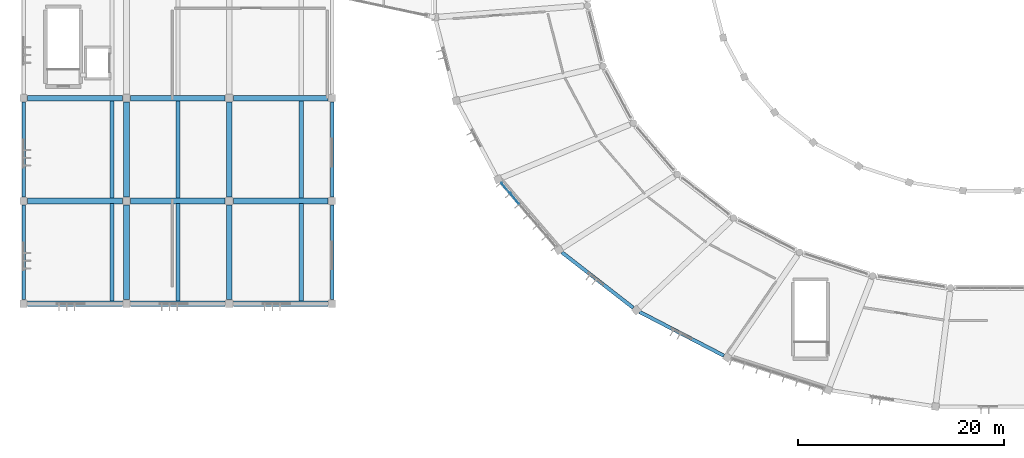
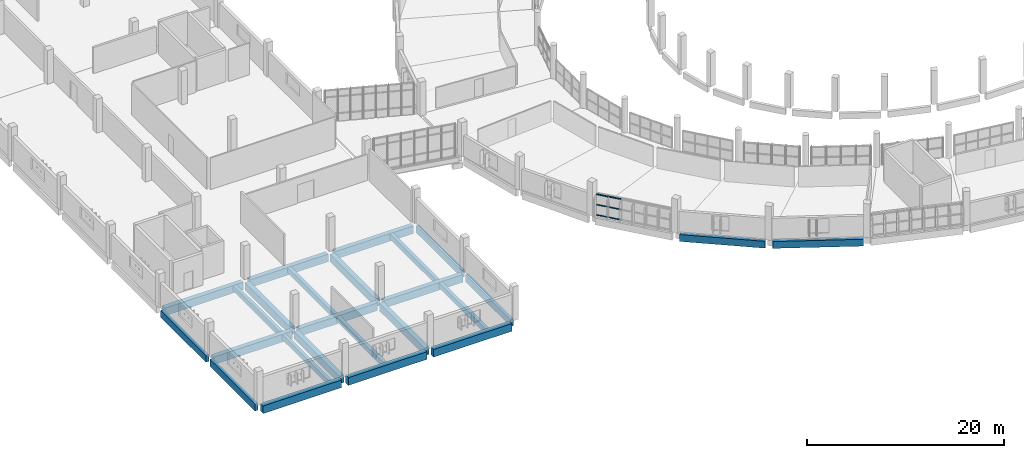
# One storey, part 3 of 142: 25 beams, 6 members, 1 element without a shape of its own.
"""IFC4 building model written with IfcOpenShell, lengths in metres."""

from ifc_helpers import new_model, si_unit, direction, frame, origin, origin_2d, place, context, subcontext, project, spatial, rectangle, extrude, material, layer, layer_set, material_profile, profile_set, type_object, element, aggregate, save


model = new_model("IFC4")

# Units and contexts
model_context = context("Model", 3, precision=1e-05, world=origin(), true_north=direction((0.0, 1.0)))
body_context = subcontext(model_context, "Body", "Model", "MODEL_VIEW")
ifc_project = project(units=[si_unit("LENGTHUNIT", "METRE"), si_unit("AREAUNIT", "SQUARE_METRE"), si_unit("VOLUMEUNIT", "CUBIC_METRE"), si_unit("PLANEANGLEUNIT", "RADIAN"), si_unit("MASSUNIT", "GRAM", prefix="KILO")], contexts=[model_context])

# Site, building, storey
site_placement = place(None, origin())
site = spatial("IfcSite", under=ifc_project, at=site_placement, CompositionType="ELEMENT")
building_placement = place(site_placement, origin())
building = spatial("IfcBuilding", under=site, at=building_placement, Name="Corvandel Quay Wholesale Market", CompositionType="ELEMENT")
storey_placement = place(building_placement, frame((0.0, 0.0, 10.800048828125)))
storey = spatial("IfcBuildingStorey", under=building, at=storey_placement, Name="L02", CompositionType="ELEMENT", Elevation=10.800048828125)

# Beams
ifc_material_1 = material(Name="Precast concrete C45/55", Category="concrete")
ifc_material_profile_1 = material_profile(ifc_material_1, rectangle(XDim=0.550048828125, YDim=0.949951171875, at=origin_2d()), Name="PC-GIR-550x950")
ifc_profile_set_1 = profile_set([ifc_material_profile_1], Name="Precast concrete C45/55")
beam_type_1 = type_object("IfcBeamType", Name="Cold Store Floor Girder G02 550x950", PredefinedType="USERDEFINED", material=ifc_profile_set_1)
for number, where, z_axis, x_axis, name in (
    (1, (20.39501953125, 10.0, -0.795166015625), (1.0, 0.0, 0.0), (0.0, 1.0, 0.0), "Beam BM-1149"),
    (2, (30.39501953125, 10.0, -0.795166015625), (1.0, 0.0, 0.0), (0.0, 1.0, 0.0), "Beam BM-1150"),
    (3, (40.39501953125, 10.0, -0.795166015625), (1.0, 0.0, 0.0), (0.0, 1.0, 0.0), "Beam BM-1151"),
    (4, (20.39501953125, 20.0, -0.795166015625), (1.0, 0.0, 0.0), (0.0, 1.0, 0.0), "Beam BM-1152"),
    (5, (30.39501953125, 20.0, -0.795166015625), (1.0, 0.0, 0.0), (0.0, 1.0, 0.0), "Beam BM-1153"),
    (6, (40.39501953125, 20.0, -0.795166015625), (1.0, 0.0, 0.0), (0.0, 1.0, 0.0), "Beam BM-1154"),
    (7, (20.39501953125, 30.0, -0.795166015625), (1.0, 0.0, 0.0), (0.0, 1.0, 0.0), "Beam BM-1155"),
    (8, (30.39501953125, 30.0, -0.795166015625), (1.0, 0.0, 0.0), (0.0, 1.0, 0.0), "Beam BM-1156"),
    (9, (40.39501953125, 30.0, -0.795166015625), (1.0, 0.0, 0.0), (0.0, 1.0, 0.0), "Beam BM-1157"),
    (10, (30.0, 10.39501953125, -0.795166015625), (0.0, 1.0, 0.0), (-1.0, 0.0, 0.0), "Beam BM-1204"),
    (11, (30.0, 20.39501953125, -0.795166015625), (0.0, 1.0, 0.0), (-1.0, 0.0, 0.0), "Beam BM-1205"),
    (12, (40.0, 10.39501953125, -0.795166015625), (0.0, 1.0, 0.0), (-1.0, 0.0, 0.0), "Beam BM-1217"),
    (13, (40.0, 20.39501953125, -0.795166015625), (0.0, 1.0, 0.0), (-1.0, 0.0, 0.0), "Beam BM-1218"),
):
    element("IfcBeam", number, at=place(storey_placement, frame(where, z_axis=z_axis, x_axis=x_axis)), inside=storey, type_object=beam_type_1, Name=name, ObjectType="GIRDER", PredefinedType="USERDEFINED", context=body_context, shape_type="SweptSolid", body=[
        extrude(rectangle(XDim=0.550048828125, YDim=0.949951171875, at=origin_2d()), origin(), (0.0, 0.0, 1.0), 9.2099609375),
    ])
ifc_material_profile_2 = material_profile(ifc_material_1, rectangle(XDim=0.39990234375, YDim=0.64990234375, at=origin_2d()), Name="PC-BM-400x650")
ifc_profile_set_2 = profile_set([ifc_material_profile_2], Name="Precast concrete C45/55")
beam_type_2 = type_object("IfcBeamType", Name="Cold Store Secondary Beam B01 400x650", PredefinedType="BEAM", material=ifc_profile_set_2)
for number, where, z_axis, x_axis, name in (
    (14, (28.60009765625, 10.264892578125, -0.64501953125), (0.0, 1.0, 0.0), (-1.0, 0.0, 0.0), "Beam BM-1243"),
    (15, (28.60009765625, 20.264892578125, -0.64501953125), (0.0, 1.0, 0.0), (-1.0, 0.0, 0.0), "Beam BM-1244"),
    (16, (35.0, 10.264892578125, -0.64501953125), (0.0, 1.0, 0.0), (-1.0, 0.0, 0.0), "Beam BM-1256"),
    (17, (35.0, 20.264892578125, -0.64501953125), (0.0, 1.0, 0.0), (-1.0, 0.0, 0.0), "Beam BM-1257"),
    (18, (47.0, 10.264892578125, -0.64501953125), (0.0, 1.0, 0.0), (-1.0, 0.0, 0.0), "Beam BM-1269"),
    (19, (47.0, 20.264892578125, -0.64501953125), (0.0, 1.0, 0.0), (-1.0, 0.0, 0.0), "Beam BM-1270"),
):
    element("IfcBeam", number, at=place(storey_placement, frame(where, z_axis=z_axis, x_axis=x_axis)), inside=storey, type_object=beam_type_2, Name=name, PredefinedType="BEAM", context=body_context, shape_type="SweptSolid", body=[
        extrude(rectangle(XDim=0.39990234375, YDim=0.64990234375, at=origin_2d()), origin(), (0.0, 0.0, 1.0), 9.47021484375),
    ])

# Curtain wall, members
ifc_material_2 = material(Name="Bronze anodised aluminium and low-E insulated glazing", Category="aluminium")
ifc_layer = layer(ifc_material_2, 0.174072265625)
ifc_layer_set = layer_set([ifc_layer], Name="Bronze anodised aluminium and low-E insulated glazing")
curtain_wall_type = type_object("IfcCurtainWallType", Name="Stick Curtain Wall System CW27 H5430", PredefinedType="NOTDEFINED", material=ifc_layer_set)
curtain_wall_placement = place(storey_placement, origin())
curtain_wall = element("IfcCurtainWall", 20, at=curtain_wall_placement, inside=storey, type_object=curtain_wall_type, Name="Curtain Wall CW-0054", PredefinedType="NOTDEFINED")
ifc_material_3 = material(Name="Anodised aluminium 6063-T6", Category="aluminium")
ifc_material_profile_3 = material_profile(ifc_material_3, rectangle(XDim=0.06005859375, YDim=0.110107421875, at=origin_2d()), Name="ALU-TRN-60x110")
ifc_profile_set_3 = profile_set([ifc_material_profile_3], Name="Anodised aluminium 6063-T6")
member_type = type_object("IfcMemberType", Name="Curtain Wall Transom TR02 60x110", PredefinedType="USERDEFINED", material=ifc_profile_set_3)
member_1_placement = place(storey_placement, frame((66.46044921875, 21.739990234375, 0.0), z_axis=(0.651597471756, -0.758564917987, 0.0), x_axis=(0.758564917987, 0.651597471756, 0.0)))
member_1 = element("IfcMember", 21, at=member_1_placement, type_object=member_type, Name="Transom CW-0054-T00-0", ObjectType="TRANSOM", PredefinedType="USERDEFINED", context=body_context, shape_type="SweptSolid", body=[
    extrude(rectangle(XDim=0.06005859375, YDim=0.110107421875, at=origin_2d()), origin(), (0.0, 0.0, 1.0), 1.29638671875),
])
member_2_placement = place(storey_placement, frame((66.46044921875, 21.739990234375, 1.27490234375), z_axis=(0.651597471756, -0.758564917987, 0.0), x_axis=(0.758564917987, 0.651597471756, 0.0)))
member_2 = element("IfcMember", 22, at=member_2_placement, type_object=member_type, Name="Transom CW-0054-T00-1", ObjectType="TRANSOM", PredefinedType="USERDEFINED", context=body_context, shape_type="SweptSolid", body=[
    extrude(rectangle(XDim=0.06005859375, YDim=0.110107421875, at=origin_2d()), origin(), (0.0, 0.0, 1.0), 1.29638671875),
])
member_3_placement = place(storey_placement, frame((66.46044921875, 21.739990234375, 2.550048828125), z_axis=(0.651597471756, -0.758564917987, 0.0), x_axis=(0.758564917987, 0.651597471756, 0.0)))
member_3 = element("IfcMember", 23, at=member_3_placement, type_object=member_type, Name="Transom CW-0054-T00-2", ObjectType="TRANSOM", PredefinedType="USERDEFINED", context=body_context, shape_type="SweptSolid", body=[
    extrude(rectangle(XDim=0.06005859375, YDim=0.110107421875, at=origin_2d()), origin(), (0.0, 0.0, 1.0), 1.29638671875),
])
member_4_placement = place(storey_placement, frame((67.347412109375, 20.707275390625, 0.0), z_axis=(0.651597471756, -0.758564917987, 0.0), x_axis=(0.758564917987, 0.651597471756, 0.0)))
member_4 = element("IfcMember", 24, at=member_4_placement, type_object=member_type, Name="Transom CW-0054-T01-0", ObjectType="TRANSOM", PredefinedType="USERDEFINED", context=body_context, shape_type="SweptSolid", body=[
    extrude(rectangle(XDim=0.06005859375, YDim=0.110107421875, at=origin_2d()), origin(), (0.0, 0.0, 1.0), 1.29638671875),
])
member_5_placement = place(storey_placement, frame((67.347412109375, 20.707275390625, 1.27490234375), z_axis=(0.651597471756, -0.758564917987, 0.0), x_axis=(0.758564917987, 0.651597471756, 0.0)))
member_5 = element("IfcMember", 25, at=member_5_placement, type_object=member_type, Name="Transom CW-0054-T01-1", ObjectType="TRANSOM", PredefinedType="USERDEFINED", context=body_context, shape_type="SweptSolid", body=[
    extrude(rectangle(XDim=0.06005859375, YDim=0.110107421875, at=origin_2d()), origin(), (0.0, 0.0, 1.0), 1.29638671875),
])
member_6_placement = place(storey_placement, frame((67.347412109375, 20.707275390625, 2.550048828125), z_axis=(0.651597471756, -0.758564917987, 0.0), x_axis=(0.758564917987, 0.651597471756, 0.0)))
member_6 = element("IfcMember", 26, at=member_6_placement, type_object=member_type, Name="Transom CW-0054-T01-2", ObjectType="TRANSOM", PredefinedType="USERDEFINED", context=body_context, shape_type="SweptSolid", body=[
    extrude(rectangle(XDim=0.06005859375, YDim=0.110107421875, at=origin_2d()), origin(), (0.0, 0.0, 1.0), 1.29638671875),
])
aggregate(curtain_wall, [member_1, member_2, member_3, member_4, member_5, member_6])

# Beams
ifc_material_profile_4 = material_profile(ifc_material_1, rectangle(XDim=0.35009765625, YDim=0.85009765625, at=origin_2d()), Name="PC-SPN-350x850")
ifc_profile_set_4 = profile_set([ifc_material_profile_4], Name="Precast concrete C45/55")
beam_type_3 = type_object("IfcBeamType", Name="Perimeter Precast Spandrel SP01 350x850", PredefinedType="SPANDREL", material=ifc_profile_set_4)
beam_1_placement = place(storey_placement, frame((72.346923828125, 14.999755859375, -0.7451171875), z_axis=(0.789337260855, -0.613959842844, 0.0), x_axis=(0.613959842844, 0.789337260855, 0.0)))
element("IfcBeam", 27, at=beam_1_placement, inside=storey, type_object=beam_type_3, Name="Beam BM-0246", PredefinedType="SPANDREL", context=body_context, shape_type="SweptSolid", body=[
    extrude(rectangle(XDim=0.35009765625, YDim=0.85009765625, at=origin_2d()), origin(), (0.0, 0.0, 1.0), 8.78955078125),
])
beam_2_placement = place(storey_placement, frame((79.9052734375, 9.205322265625, -0.7451171875), z_axis=(0.887343699642, -0.461108619205, 0.0), x_axis=(0.461108619205, 0.887343699642, 0.0)))
element("IfcBeam", 28, at=beam_2_placement, inside=storey, type_object=beam_type_3, Name="Beam BM-0258", PredefinedType="SPANDREL", context=body_context, shape_type="SweptSolid", body=[
    extrude(rectangle(XDim=0.35009765625, YDim=0.85009765625, at=origin_2d()), origin(), (0.0, 0.0, 1.0), 9.22705078125),
])
for number, where, z_axis, x_axis, name in (
    (29, (20.0, 10.39501953125, -0.7451171875), (0.0, 1.0, 0.0), (-1.0, 0.0, 0.0), "Beam BM-1191"),
    (30, (20.0, 20.39501953125, -0.7451171875), (0.0, 1.0, 0.0), (-1.0, 0.0, 0.0), "Beam BM-1192"),
    (31, (50.0, 10.39501953125, -0.7451171875), (0.0, 1.0, 0.0), (-1.0, 0.0, 0.0), "Beam BM-1230"),
    (32, (50.0, 20.39501953125, -0.7451171875), (0.0, 1.0, 0.0), (-1.0, 0.0, 0.0), "Beam BM-1231"),
):
    element("IfcBeam", number, at=place(storey_placement, frame(where, z_axis=z_axis, x_axis=x_axis)), inside=storey, type_object=beam_type_3, Name=name, PredefinedType="SPANDREL", context=body_context, shape_type="SweptSolid", body=[
        extrude(rectangle(XDim=0.35009765625, YDim=0.85009765625, at=origin_2d()), origin(), (0.0, 0.0, 1.0), 9.2099609375),
    ])

save(model, "model.ifc")
